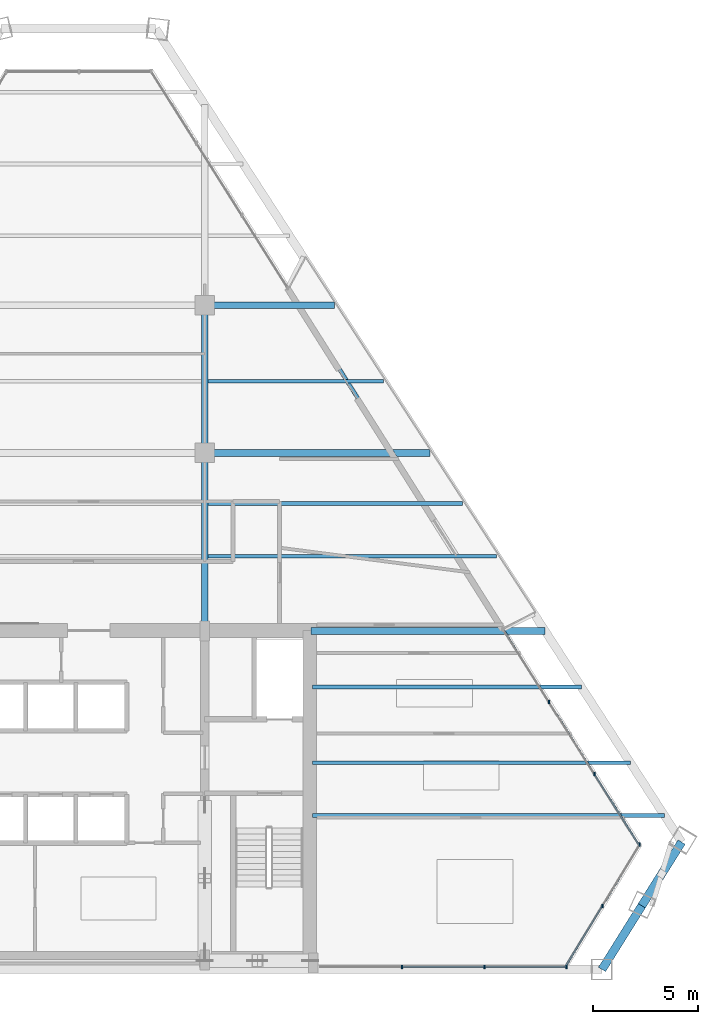
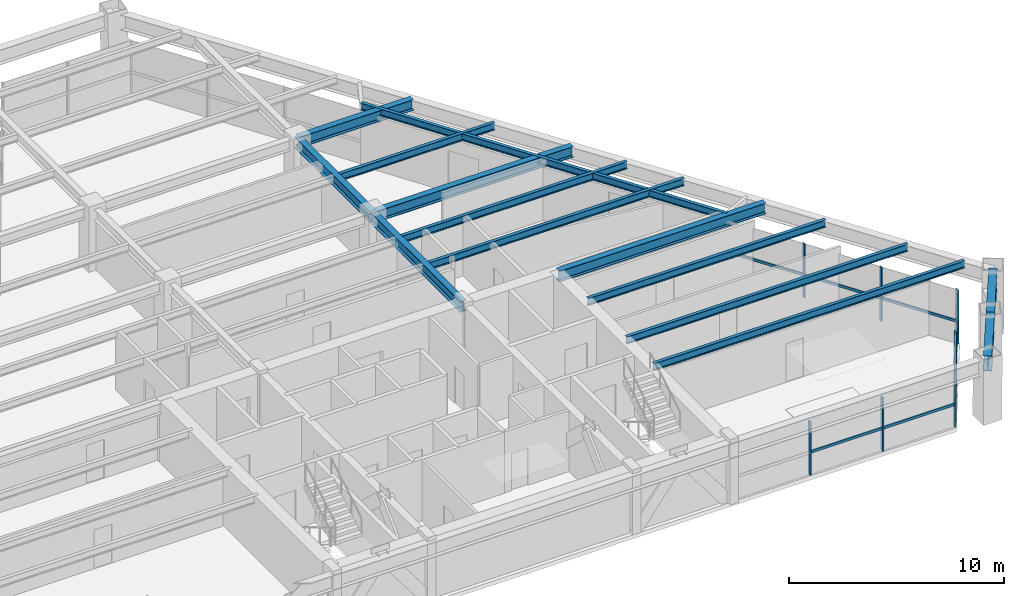
# One storey, part 4 of 13: 14 beams, 14 members, 3 elements without a shape of their own.
"""IFC4 building model written with IfcOpenShell, lengths in metres."""

from ifc_helpers import new_model, si_unit, direction, frame, origin, origin_2d, place, context, subcontext, project, spatial, rectangle, i_section, extrude, source, transform, mapped, material, material_profile, profile_set, type_object, type_shapes, element, aggregate, save


model = new_model("IFC4")

# Units and contexts
model_context = context("Model", 3, precision=1e-05, world=origin(), true_north=direction((0.0, 1.0)))
body_context = subcontext(model_context, "Body", "Model", "MODEL_VIEW")
ifc_project = project(units=[si_unit("LENGTHUNIT", "METRE"), si_unit("AREAUNIT", "SQUARE_METRE"), si_unit("VOLUMEUNIT", "CUBIC_METRE"), si_unit("PLANEANGLEUNIT", "RADIAN"), si_unit("MASSUNIT", "GRAM", prefix="KILO")], contexts=[model_context])

# Site, building, storey
site_placement = place(None, origin())
site = spatial("IfcSite", under=ifc_project, at=site_placement, CompositionType="ELEMENT")
building_placement = place(site_placement, origin())
building = spatial("IfcBuilding", under=site, at=building_placement, Name="Varnakhor Terracotta Tower", CompositionType="ELEMENT")
storey_placement = place(building_placement, frame((0.0, 0.0, 204.300048828125)))
storey = spatial("IfcBuildingStorey", under=building, at=storey_placement, Name="L52", CompositionType="ELEMENT", Elevation=204.300048828125)

# Beams
ifc_material_1 = material(Name="Steel S355", Category="steel")
ifc_material_profile_1 = material_profile(ifc_material_1, i_section(OverallWidth=0.324951171875, OverallDepth=0.615966796875, WebThickness=0.013916015625, FlangeThickness=0.02197265625, FilletRadius=0.01806640625, at=origin_2d()), Name="W24X117")
ifc_profile_set_1 = profile_set([ifc_material_profile_1], Name="Steel S355")
beam_type_1 = type_object("IfcBeamType", Name="BM-W24X117", PredefinedType="BEAM", material=ifc_profile_set_1)
shared_shape_1 = source(origin(), body_context, "Body", "SweptSolid", [
    extrude(i_section(OverallWidth=0.324951171875, OverallDepth=0.615966796875, WebThickness=0.013916015625, FlangeThickness=0.02197265625, FilletRadius=0.01806640625, at=origin_2d()), origin(), (0.0, 0.0, 1.0), 8.449951171875),
])
type_shapes(beam_type_1, [shared_shape_1])
beam_1_placement = place(storey_placement, frame((5.5, 16.050048828125, 3.161865234375), z_axis=(0.0, 1.0, 0.0), x_axis=(-1.0, 0.0, 0.0)))
element("IfcBeam", 1, at=beam_1_placement, inside=storey, type_object=beam_type_1, Name="L52 Primary Girder NS1-E", PredefinedType="BEAM", context=body_context, shape_type="MappedRepresentation", body=[
    mapped(shared_shape_1, transform((0.0, 0.0, 0.0), scale=1.0)),
])
shared_shape_2 = source(origin(), body_context, "Body", "SweptSolid", [
    extrude(i_section(OverallWidth=0.324951171875, OverallDepth=0.615966796875, WebThickness=0.013916015625, FlangeThickness=0.02197265625, FilletRadius=0.01806640625, at=origin_2d()), origin(), (0.0, 0.0, 1.0), 7.0),
])
beam_2_placement = place(storey_placement, frame((5.5, 24.5, 3.161865234375), z_axis=(0.0, 1.0, 0.0), x_axis=(-1.0, 0.0, 0.0)))
element("IfcBeam", 2, at=beam_2_placement, inside=storey, type_object=beam_type_1, Name="L52 Primary Girder NS2-E", PredefinedType="BEAM", context=body_context, shape_type="MappedRepresentation", body=[
    mapped(shared_shape_2, transform((0.0, 0.0, 0.0), scale=1.0)),
])
ifc_material_profile_2 = material_profile(ifc_material_1, i_section(OverallWidth=0.39990234375, OverallDepth=0.85498046875, WebThickness=0.01806640625, FlangeThickness=0.029052734375, FilletRadius=0.01806640625, at=origin_2d()), Name="W33X201")
ifc_profile_set_2 = profile_set([ifc_material_profile_2], Name="Steel S355")
beam_type_2 = type_object("IfcBeamType", Name="BM-W33X201", PredefinedType="BEAM", material=ifc_profile_set_2)
shared_shape_3 = source(origin(), body_context, "Body", "SweptSolid", [
    extrude(i_section(OverallWidth=0.39990234375, OverallDepth=0.85498046875, WebThickness=0.01806640625, FlangeThickness=0.029052734375, FilletRadius=0.01806640625, at=origin_2d()), origin(), (0.0, 0.0, 1.0), 3.562255859375),
])
for number, where, z_axis, x_axis, name in (
    (3, (24.34130859375, 0.0, 3.04248046875), (0.529912690958, 0.848052203559, 0.0), (-0.848052203559, 0.529912690958, 0.0), "L52 Perimeter Spandrel 2"),
    (4, (26.22900390625, 3.02099609375, 3.04248046875), (0.529863398406, 0.848083002441, 0.0), (-0.848083002441, 0.529863398406, 0.0), "L52 Perimeter Spandrel 3"),
):
    element("IfcBeam", number, at=place(storey_placement, frame(where, z_axis=z_axis, x_axis=x_axis)), inside=storey, type_object=beam_type_2, Name=name, PredefinedType="BEAM", context=body_context, shape_type="MappedRepresentation", body=[
        mapped(shared_shape_3, transform((0.0, 0.0, 0.0), scale=1.0)),
    ])
ifc_material_profile_3 = material_profile(ifc_material_1, i_section(OverallWidth=0.179931640625, OverallDepth=0.39990234375, WebThickness=0.008544921875, FlangeThickness=0.013427734375, FilletRadius=0.01806640625, at=origin_2d()), Name="IPE400")
ifc_profile_set_3 = profile_set([ifc_material_profile_3], Name="Steel S355")
beam_type_3 = type_object("IfcBeamType", Name="JST-IPE400", PredefinedType="JOIST", material=ifc_profile_set_3)
shared_shape_4 = source(origin(), body_context, "Body", "SweptSolid", [
    extrude(i_section(OverallWidth=0.179931640625, OverallDepth=0.39990234375, WebThickness=0.008544921875, FlangeThickness=0.013427734375, FilletRadius=0.01806640625, at=origin_2d()), origin(), (0.0, 0.0, 1.0), 19.19873046875),
])
beam_3_placement = place(storey_placement, frame((19.668701171875, 16.12158203125, 3.27001953125), z_axis=(-0.532974477416, 0.846131317482, 0.0), x_axis=(-0.846131317482, -0.532974477416, 0.0)))
element("IfcBeam", 5, at=beam_3_placement, inside=storey, type_object=beam_type_3, Name="L52 Loggia Edge Beam 1", PredefinedType="JOIST", context=body_context, shape_type="MappedRepresentation", body=[
    mapped(shared_shape_4, transform((0.0, 0.0, 0.0), scale=1.0)),
])
shared_shape_5 = source(origin(), body_context, "Body", "SweptSolid", [
    extrude(i_section(OverallWidth=0.324951171875, OverallDepth=0.615966796875, WebThickness=0.013916015625, FlangeThickness=0.02197265625, FilletRadius=0.01806640625, at=origin_2d()), origin(), (0.0, 0.0, 1.0), 11.09423828125),
])
beam_4_placement = place(storey_placement, frame((10.550048828125, 16.050048828125, 3.161865234375), z_axis=(1.0, 0.0, 0.0), x_axis=(0.0, 1.0, 0.0)))
element("IfcBeam", 6, at=beam_4_placement, inside=storey, type_object=beam_type_1, Name="L52 Wing Girder E", PredefinedType="BEAM", context=body_context, shape_type="MappedRepresentation", body=[
    mapped(shared_shape_5, transform((0.0, 0.0, 0.0), scale=1.0)),
])
shared_shape_6 = source(origin(), body_context, "Body", "SweptSolid", [
    extrude(i_section(OverallWidth=0.324951171875, OverallDepth=0.615966796875, WebThickness=0.013916015625, FlangeThickness=0.02197265625, FilletRadius=0.01806640625, at=origin_2d()), origin(), (0.0, 0.0, 1.0), 10.679931640625),
])
beam_5_placement = place(storey_placement, frame((5.5, 24.5, 3.161865234375), z_axis=(1.0, 0.0, 0.0), x_axis=(0.0, 1.0, 0.0)))
element("IfcBeam", 7, at=beam_5_placement, inside=storey, type_object=beam_type_1, Name="L52 Primary Girder EW2-3", PredefinedType="BEAM", context=body_context, shape_type="MappedRepresentation", body=[
    mapped(shared_shape_6, transform((0.0, 0.0, 0.0), scale=1.0)),
])
shared_shape_7 = source(origin(), body_context, "Body", "SweptSolid", [
    extrude(i_section(OverallWidth=0.324951171875, OverallDepth=0.615966796875, WebThickness=0.013916015625, FlangeThickness=0.02197265625, FilletRadius=0.01806640625, at=origin_2d()), origin(), (0.0, 0.0, 1.0), 6.153076171875),
])
beam_6_placement = place(storey_placement, frame((5.5, 31.5, 3.161865234375), z_axis=(1.0, 0.0, 0.0), x_axis=(0.0, 1.0, 0.0)))
element("IfcBeam", 8, at=beam_6_placement, inside=storey, type_object=beam_type_1, Name="L52 Primary Girder EW3-3", PredefinedType="BEAM", context=body_context, shape_type="MappedRepresentation", body=[
    mapped(shared_shape_7, transform((0.0, 0.0, 0.0), scale=1.0)),
])
ifc_material_profile_4 = material_profile(ifc_material_1, i_section(OverallWidth=0.179931640625, OverallDepth=0.4130859375, WebThickness=0.009765625, FlangeThickness=0.01611328125, FilletRadius=0.01806640625, at=origin_2d()), Name="W16X50")
ifc_profile_set_4 = profile_set([ifc_material_profile_4], Name="Steel S355")
beam_type_4 = type_object("IfcBeamType", Name="JST-W16X50", PredefinedType="JOIST", material=ifc_profile_set_4)
shared_shape_8 = source(origin(), body_context, "Body", "SweptSolid", [
    extrude(i_section(OverallWidth=0.179931640625, OverallDepth=0.4130859375, WebThickness=0.009765625, FlangeThickness=0.01611328125, FilletRadius=0.01806640625, at=origin_2d()), origin(), (0.0, 0.0, 1.0), 16.702880859375),
])
beam_7_placement = place(storey_placement, frame((10.60009765625, 7.300048828125, 3.263427734375), z_axis=(1.0, 0.0, 0.0), x_axis=(0.0, 1.0, 0.0)))
element("IfcBeam", 9, at=beam_7_placement, inside=storey, type_object=beam_type_4, Name="L52 Floor Joist E1", PredefinedType="JOIST", context=body_context, shape_type="MappedRepresentation", body=[
    mapped(shared_shape_8, transform((0.0, 0.0, 0.0), scale=1.0)),
])
shared_shape_9 = source(origin(), body_context, "Body", "SweptSolid", [
    extrude(i_section(OverallWidth=0.179931640625, OverallDepth=0.4130859375, WebThickness=0.009765625, FlangeThickness=0.01611328125, FilletRadius=0.01806640625, at=origin_2d()), origin(), (0.0, 0.0, 1.0), 15.086181640625),
])
beam_8_placement = place(storey_placement, frame((10.60009765625, 9.800048828125, 3.263427734375), z_axis=(1.0, 0.0, 0.0), x_axis=(0.0, 1.0, 0.0)))
element("IfcBeam", 10, at=beam_8_placement, inside=storey, type_object=beam_type_4, Name="L52 Floor Joist E2", PredefinedType="JOIST", context=body_context, shape_type="MappedRepresentation", body=[
    mapped(shared_shape_9, transform((0.0, 0.0, 0.0), scale=1.0)),
])
shared_shape_10 = source(origin(), body_context, "Body", "SweptSolid", [
    extrude(i_section(OverallWidth=0.179931640625, OverallDepth=0.4130859375, WebThickness=0.009765625, FlangeThickness=0.01611328125, FilletRadius=0.01806640625, at=origin_2d()), origin(), (0.0, 0.0, 1.0), 12.758056640625),
])
beam_9_placement = place(storey_placement, frame((10.60009765625, 13.39990234375, 3.263427734375), z_axis=(1.0, 0.0, 0.0), x_axis=(0.0, 1.0, 0.0)))
element("IfcBeam", 11, at=beam_9_placement, inside=storey, type_object=beam_type_4, Name="L52 Floor Joist E3", PredefinedType="JOIST", context=body_context, shape_type="MappedRepresentation", body=[
    mapped(shared_shape_10, transform((0.0, 0.0, 0.0), scale=1.0)),
])
shared_shape_11 = source(origin(), body_context, "Body", "SweptSolid", [
    extrude(i_section(OverallWidth=0.179931640625, OverallDepth=0.4130859375, WebThickness=0.009765625, FlangeThickness=0.01611328125, FilletRadius=0.01806640625, at=origin_2d()), origin(), (0.0, 0.0, 1.0), 13.690185546875),
])
beam_10_placement = place(storey_placement, frame((5.658447265625, 19.60009765625, 3.263427734375), z_axis=(1.0, 0.0, 0.0), x_axis=(0.0, 1.0, 0.0)))
element("IfcBeam", 12, at=beam_10_placement, inside=storey, type_object=beam_type_4, Name="L52 Composite Floor Joist 4-3", PredefinedType="JOIST", context=body_context, shape_type="MappedRepresentation", body=[
    mapped(shared_shape_11, transform((0.0, 0.0, 0.0), scale=1.0)),
])
shared_shape_12 = source(origin(), body_context, "Body", "SweptSolid", [
    extrude(i_section(OverallWidth=0.179931640625, OverallDepth=0.4130859375, WebThickness=0.009765625, FlangeThickness=0.01611328125, FilletRadius=0.01806640625, at=origin_2d()), origin(), (0.0, 0.0, 1.0), 12.073486328125),
])
beam_11_placement = place(storey_placement, frame((5.658447265625, 22.10009765625, 3.263427734375), z_axis=(1.0, 0.0, 0.0), x_axis=(0.0, 1.0, 0.0)))
element("IfcBeam", 13, at=beam_11_placement, inside=storey, type_object=beam_type_4, Name="L52 Composite Floor Joist 5-3", PredefinedType="JOIST", context=body_context, shape_type="MappedRepresentation", body=[
    mapped(shared_shape_12, transform((0.0, 0.0, 0.0), scale=1.0)),
])
shared_shape_13 = source(origin(), body_context, "Body", "SweptSolid", [
    extrude(i_section(OverallWidth=0.179931640625, OverallDepth=0.4130859375, WebThickness=0.009765625, FlangeThickness=0.01611328125, FilletRadius=0.01806640625, at=origin_2d()), origin(), (0.0, 0.0, 1.0), 8.32275390625),
])
beam_12_placement = place(storey_placement, frame((5.658447265625, 27.89990234375, 3.263427734375), z_axis=(1.0, 0.0, 0.0), x_axis=(0.0, 1.0, 0.0)))
element("IfcBeam", 14, at=beam_12_placement, inside=storey, type_object=beam_type_4, Name="L52 Composite Floor Joist 6-3", PredefinedType="JOIST", context=body_context, shape_type="MappedRepresentation", body=[
    mapped(shared_shape_13, transform((0.0, 0.0, 0.0), scale=1.0)),
])

# Curtain wall, members
ifc_material_2 = material(Name="Anodised Aluminium Curtain Wall System", Category="aluminium")
curtain_wall_type = type_object("IfcCurtainWallType", Name="CW-SYS-MID-OFFICE", PredefinedType="NOTDEFINED", material=ifc_material_2)
curtain_wall_1_placement = place(storey_placement, origin())
curtain_wall_1 = element("IfcCurtainWall", 15, at=curtain_wall_1_placement, inside=storey, type_object=curtain_wall_type, Name="L52 E Facet Curtain Wall 2", PredefinedType="NOTDEFINED")
ifc_material_3 = material(Name="Anodised Aluminium 6063-T6", Category="aluminium")
ifc_material_profile_5 = material_profile(ifc_material_3, rectangle(XDim=0.070068359375, YDim=0.175048828125, at=origin_2d()), Name="ALU MULLION 70x175")
ifc_profile_set_5 = profile_set([ifc_material_profile_5], Name="Anodised Aluminium 6063-T6")
member_type_1 = type_object("IfcMemberType", Name="CWM-03", PredefinedType="MULLION", material=ifc_profile_set_5)
shared_shape_14 = source(origin(), body_context, "Body", "SweptSolid", [
    extrude(rectangle(XDim=0.070068359375, YDim=0.175048828125, at=origin_2d()), origin(), (0.0, 0.0, 1.0), 3.050048828125),
])
member_1_placement = place(storey_placement, frame((21.819580078125, 12.685791015625, 0.0), z_axis=(0.0, 0.0, 1.0), x_axis=(1.0, 0.0, 0.0)))
member_1 = element("IfcMember", 16, at=member_1_placement, type_object=member_type_1, Name="L52 E Facet Curtain Wall 2 Mullion 2", PredefinedType="MULLION", context=body_context, shape_type="MappedRepresentation", body=[
    mapped(shared_shape_14, transform((0.0, 0.0, 0.0), scale=1.0)),
])
member_2_placement = place(storey_placement, frame((23.9755859375, 9.267333984375, 0.0), z_axis=(0.0, 0.0, 1.0), x_axis=(1.0, 0.0, 0.0)))
member_2 = element("IfcMember", 17, at=member_2_placement, type_object=member_type_1, Name="L52 E Facet Curtain Wall 2 Mullion 3", PredefinedType="MULLION", context=body_context, shape_type="MappedRepresentation", body=[
    mapped(shared_shape_14, transform((0.0, 0.0, 0.0), scale=1.0)),
])

curtain_wall_2_placement = place(storey_placement, origin())
curtain_wall_2 = element("IfcCurtainWall", 18, at=curtain_wall_2_placement, inside=storey, type_object=curtain_wall_type, Name="L52 Facet Curtain Wall 4", PredefinedType="NOTDEFINED")
member_3_placement = place(storey_placement, frame((26.131103515625, 5.92431640625, 0.0), z_axis=(0.0, 0.0, 1.0), x_axis=(1.0, 0.0, 0.0)))
member_3 = element("IfcMember", 19, at=member_3_placement, type_object=member_type_1, Name="L52 Facet Curtain Wall 4 Mullion 1", PredefinedType="MULLION", context=body_context, shape_type="MappedRepresentation", body=[
    mapped(shared_shape_14, transform((0.0, 0.0, 0.0), scale=1.0)),
])
member_4_placement = place(storey_placement, frame((24.353515625, 3.006103515625, 0.0), z_axis=(0.0, 0.0, 1.0), x_axis=(1.0, 0.0, 0.0)))
member_4 = element("IfcMember", 20, at=member_4_placement, type_object=member_type_1, Name="L52 Facet Curtain Wall 4 Mullion 2", PredefinedType="MULLION", context=body_context, shape_type="MappedRepresentation", body=[
    mapped(shared_shape_14, transform((0.0, 0.0, 0.0), scale=1.0)),
])

curtain_wall_3_placement = place(storey_placement, origin())
curtain_wall_3 = element("IfcCurtainWall", 21, at=curtain_wall_3_placement, inside=storey, type_object=curtain_wall_type, Name="L52 South Wing Curtain Wall SSE", PredefinedType="NOTDEFINED")
member_5_placement = place(storey_placement, frame((22.652587890625, 0.1201171875, 0.0), z_axis=(0.0, 0.0, 1.0), x_axis=(1.0, 0.0, 0.0)))
member_5 = element("IfcMember", 22, at=member_5_placement, type_object=member_type_1, Name="L52 South Wing Curtain Wall SSE Mullion 1", PredefinedType="MULLION", context=body_context, shape_type="MappedRepresentation", body=[
    mapped(shared_shape_14, transform((0.0, 0.0, 0.0), scale=1.0)),
])
member_6_placement = place(storey_placement, frame((18.75830078125, 0.1201171875, 0.0), z_axis=(0.0, 0.0, 1.0), x_axis=(1.0, 0.0, 0.0)))
member_6 = element("IfcMember", 23, at=member_6_placement, type_object=member_type_1, Name="L52 South Wing Curtain Wall SSE Mullion 2", PredefinedType="MULLION", context=body_context, shape_type="MappedRepresentation", body=[
    mapped(shared_shape_14, transform((0.0, 0.0, 0.0), scale=1.0)),
])
member_7_placement = place(storey_placement, frame((14.8642578125, 0.1201171875, 0.0), z_axis=(0.0, 0.0, 1.0), x_axis=(1.0, 0.0, 0.0)))
member_7 = element("IfcMember", 24, at=member_7_placement, type_object=member_type_1, Name="L52 South Wing Curtain Wall SSE Mullion 3", PredefinedType="MULLION", context=body_context, shape_type="MappedRepresentation", body=[
    mapped(shared_shape_14, transform((0.0, 0.0, 0.0), scale=1.0)),
])

# Member
ifc_material_profile_6 = material_profile(ifc_material_3, rectangle(XDim=0.070068359375, YDim=0.155029296875, at=origin_2d()), Name="ALU TRANSOM 70x155")
ifc_profile_set_6 = profile_set([ifc_material_profile_6], Name="Anodised Aluminium 6063-T6")
member_type_2 = type_object("IfcMemberType", Name="CWT-03", PredefinedType="USERDEFINED", material=ifc_profile_set_6)
shared_shape_15 = source(origin(), body_context, "Body", "SweptSolid", [
    extrude(rectangle(XDim=0.070068359375, YDim=0.155029296875, at=origin_2d()), origin(), (0.0, 0.0, 1.0), 4.041259765625),
])
member_8_placement = place(storey_placement, frame((23.9755859375, 9.267333984375, 1.281005859375), z_axis=(0.533486044487, -0.845808867497, 0.0), x_axis=(0.845808867497, 0.533486044487, 0.0)))
member_8 = element("IfcMember", 25, at=member_8_placement, type_object=member_type_2, Name="L52 E Facet Curtain Wall 2 Transom 3", ObjectType="TRANSOM", PredefinedType="USERDEFINED", context=body_context, shape_type="MappedRepresentation", body=[
    mapped(shared_shape_15, transform((0.0, 0.0, 0.0), scale=1.0)),
])

shared_shape_16 = source(origin(), body_context, "Body", "SweptSolid", [
    extrude(rectangle(XDim=0.070068359375, YDim=0.155029296875, at=origin_2d()), origin(), (0.0, 0.0, 1.0), 4.04150390625),
])
member_9_placement = place(storey_placement, frame((19.663818359375, 16.104248046875, 1.281005859375), z_axis=(0.533415567755, -0.845853315934, 0.0), x_axis=(0.845853315934, 0.533415567755, 0.0)))
member_9 = element("IfcMember", 26, at=member_9_placement, type_object=member_type_2, Name="L52 E Facet Curtain Wall 2 Transom 1", ObjectType="TRANSOM", PredefinedType="USERDEFINED", context=body_context, shape_type="MappedRepresentation", body=[
    mapped(shared_shape_16, transform((0.0, 0.0, 0.0), scale=1.0)),
])

member_10_placement = place(storey_placement, frame((21.819580078125, 12.685791015625, 1.281005859375), z_axis=(0.533458786694, -0.845826059482, 0.0), x_axis=(0.845826059482, 0.533458786694, 0.0)))
member_10 = element("IfcMember", 27, at=member_10_placement, type_object=member_type_2, Name="L52 E Facet Curtain Wall 2 Transom 2", ObjectType="TRANSOM", PredefinedType="USERDEFINED", context=body_context, shape_type="MappedRepresentation", body=[
    mapped(shared_shape_16, transform((0.0, 0.0, 0.0), scale=1.0)),
])

aggregate(curtain_wall_1, [member_9, member_1, member_10, member_2, member_8])

shared_shape_17 = source(origin(), body_context, "Body", "SweptSolid", [
    extrude(rectangle(XDim=0.070068359375, YDim=0.155029296875, at=origin_2d()), origin(), (0.0, 0.0, 1.0), 3.4169921875),
])
member_11_placement = place(storey_placement, frame((26.131103515625, 5.92431640625, 1.281005859375), z_axis=(-0.52022118624, -0.854031566973, 0.0), x_axis=(0.854031566973, -0.52022118624, 0.0)))
member_11 = element("IfcMember", 28, at=member_11_placement, type_object=member_type_2, Name="L52 Facet Curtain Wall 4 Transom 1", ObjectType="TRANSOM", PredefinedType="USERDEFINED", context=body_context, shape_type="MappedRepresentation", body=[
    mapped(shared_shape_17, transform((0.0, 0.0, 0.0), scale=1.0)),
])

member_12_placement = place(storey_placement, frame((24.353515625, 3.006103515625, 1.281005859375), z_axis=(-0.520305042389, -0.853980481548, 0.0), x_axis=(0.853980481548, -0.520305042389, 0.0)))
member_12 = element("IfcMember", 29, at=member_12_placement, type_object=member_type_2, Name="L52 Facet Curtain Wall 4 Transom 2", ObjectType="TRANSOM", PredefinedType="USERDEFINED", context=body_context, shape_type="MappedRepresentation", body=[
    mapped(shared_shape_17, transform((0.0, 0.0, 0.0), scale=1.0)),
])

aggregate(curtain_wall_2, [member_3, member_11, member_4, member_12])

shared_shape_18 = source(origin(), body_context, "Body", "SweptSolid", [
    extrude(rectangle(XDim=0.070068359375, YDim=0.155029296875, at=origin_2d()), origin(), (0.0, 0.0, 1.0), 3.894287109375),
])
member_13_placement = place(storey_placement, frame((22.652587890625, 0.1201171875, 1.281005859375), z_axis=(-1.0, 0.0, 0.0), x_axis=(0.0, -1.0, 0.0)))
member_13 = element("IfcMember", 30, at=member_13_placement, type_object=member_type_2, Name="L52 South Wing Curtain Wall SSE Transom 1", ObjectType="TRANSOM", PredefinedType="USERDEFINED", context=body_context, shape_type="MappedRepresentation", body=[
    mapped(shared_shape_18, transform((0.0, 0.0, 0.0), scale=1.0)),
])

shared_shape_19 = source(origin(), body_context, "Body", "SweptSolid", [
    extrude(rectangle(XDim=0.070068359375, YDim=0.155029296875, at=origin_2d()), origin(), (0.0, 0.0, 1.0), 3.89404296875),
])
member_14_placement = place(storey_placement, frame((18.75830078125, 0.1201171875, 1.281005859375), z_axis=(-1.0, 0.0, 0.0), x_axis=(0.0, -1.0, 0.0)))
member_14 = element("IfcMember", 31, at=member_14_placement, type_object=member_type_2, Name="L52 South Wing Curtain Wall SSE Transom 2", ObjectType="TRANSOM", PredefinedType="USERDEFINED", context=body_context, shape_type="MappedRepresentation", body=[
    mapped(shared_shape_19, transform((0.0, 0.0, 0.0), scale=1.0)),
])

aggregate(curtain_wall_3, [member_5, member_13, member_6, member_14, member_7])

save(model, "model.ifc")
